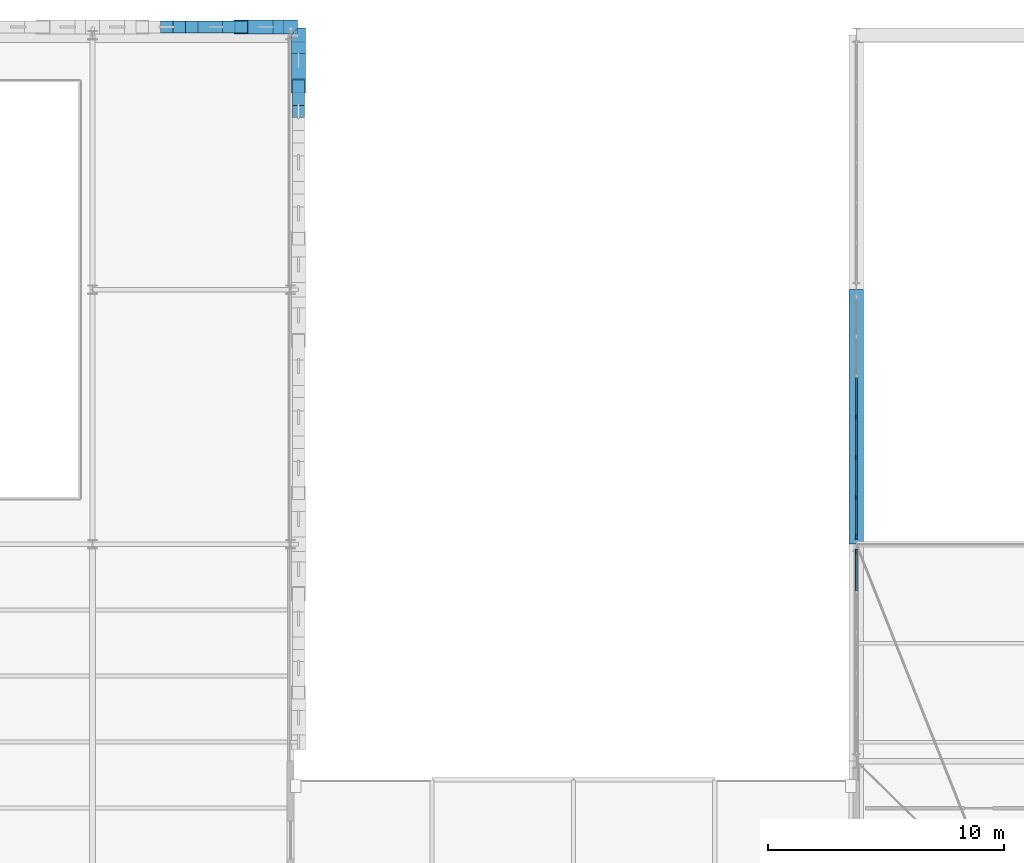
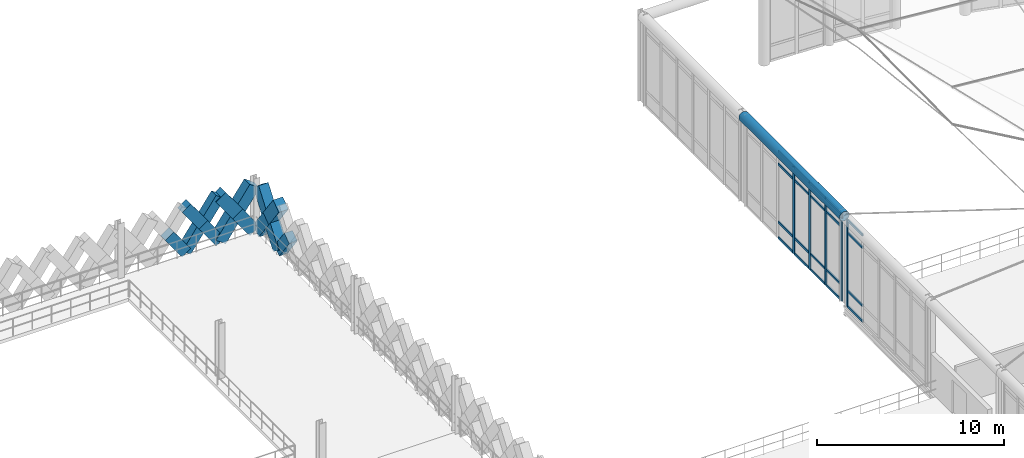
# One storey, part 43 of 101: 36 members, 1 beam, 2 elements without a shape of their own.
"""IFC4 building model written with IfcOpenShell, lengths in metres."""

from ifc_helpers import new_model, si_unit, direction, frame, origin, origin_2d, place, context, subcontext, project, spatial, rectangle, hollow_circle, extrude, material, layer, layer_set, material_profile, profile_set, type_object, element, aggregate, save


model = new_model("IFC4")

# Units and contexts
model_context = context("Model", 3, precision=1e-05, world=origin(), true_north=direction((0.0, 1.0)))
body_context = subcontext(model_context, "Body", "Model", "MODEL_VIEW")
ifc_project = project(units=[si_unit("LENGTHUNIT", "METRE"), si_unit("AREAUNIT", "SQUARE_METRE"), si_unit("VOLUMEUNIT", "CUBIC_METRE"), si_unit("PLANEANGLEUNIT", "RADIAN"), si_unit("MASSUNIT", "GRAM", prefix="KILO"), si_unit("THERMODYNAMICTEMPERATUREUNIT", "KELVIN"), si_unit("POWERUNIT", "WATT")], contexts=[model_context])

# Site, building, storey
site_placement = place(None, origin())
site = spatial("IfcSite", under=ifc_project, at=site_placement, CompositionType="ELEMENT")
building_placement = place(site_placement, origin())
building = spatial("IfcBuilding", under=site, at=building_placement, Name="Tembeka Court Mobility Hub", CompositionType="ELEMENT")
storey_placement = place(building_placement, frame((0.0, 0.0, 5.39990234375)))
storey = spatial("IfcBuildingStorey", under=building, at=storey_placement, Name="L01", CompositionType="ELEMENT", Elevation=5.39990234375)

# Beam
ifc_material_1 = material(Name="Steel S355", Category="steel")
ifc_material_profile_1 = material_profile(ifc_material_1, hollow_circle(Radius=0.304931640625, WallThickness=0.02001953125, at=origin_2d()), Name="CHS 610x20")
ifc_profile_set_1 = profile_set([ifc_material_profile_1], Name="Steel S355")
beam_type = type_object("IfcBeamType", Name="BM-RB01", PredefinedType="BEAM", material=ifc_profile_set_1)
beam_placement = place(storey_placement, frame((116.39990234375, 108.0, 5.695068359375), z_axis=(0.0, -1.0, 0.0), x_axis=(1.0, 0.0, 0.0)))
element("IfcBeam", 1, at=beam_placement, inside=storey, type_object=beam_type, Name="Concourse inner chord ring beam RB01-CH03", PredefinedType="BEAM", context=body_context, shape_type="SweptSolid", body=[
    extrude(hollow_circle(Radius=0.304931640625, WallThickness=0.02001953125, at=origin_2d()), origin(), (0.0, 0.0, 1.0), 10.800048828125),
])

# Curtain wall, member
ifc_material_2 = material(Name="Anodised aluminium 6063-T6", Category="aluminium")
ifc_layer_1 = layer(ifc_material_2, 0.199951171875)
ifc_layer_set_1 = layer_set([ifc_layer_1], Name="Anodised aluminium 6063-T6")
curtain_wall_type_1 = type_object("IfcCurtainWallType", Name="CW-SYS29", PredefinedType="USERDEFINED", material=ifc_layer_set_1)
curtain_wall_1_placement = place(storey_placement, origin())
curtain_wall_1 = element("IfcCurtainWall", 2, at=curtain_wall_1_placement, inside=storey, type_object=curtain_wall_type_1, Name="Unitised curtain wall CW29 (CW-L01-088)", ObjectType="UNITISED GLAZING", PredefinedType="USERDEFINED")
ifc_material_profile_2 = material_profile(ifc_material_2, rectangle(XDim=0.074951171875, YDim=0.199951171875, at=origin_2d()), Name="ALU-MUL 75x200")
ifc_profile_set_2 = profile_set([ifc_material_profile_2], Name="Anodised aluminium 6063-T6")
member_type_1 = type_object("IfcMemberType", Name="CW-MUL02", PredefinedType="MULLION", material=ifc_profile_set_2)
member_1_placement = place(storey_placement, frame((116.39990234375, 96.882568359375, 0.0), z_axis=(0.0, 0.0, 1.0), x_axis=(-1.0, 0.0, 0.0)))
member_1 = element("IfcMember", 3, at=member_1_placement, type_object=member_type_1, Name="CW29 mullion 6", PredefinedType="MULLION", context=body_context, shape_type="SweptSolid", body=[
    extrude(rectangle(XDim=0.074951171875, YDim=0.199951171875, at=origin_2d()), origin(), (0.0, 0.0, 1.0), 5.7001953125),
])

# Curtain wall, members
ifc_layer_2 = layer(ifc_material_2, 0.199951171875)
ifc_layer_set_2 = layer_set([ifc_layer_2], Name="Anodised aluminium 6063-T6")
curtain_wall_type_2 = type_object("IfcCurtainWallType", Name="CW-SYS30", PredefinedType="USERDEFINED", material=ifc_layer_set_2)
curtain_wall_2_placement = place(storey_placement, origin())
curtain_wall_2 = element("IfcCurtainWall", 4, at=curtain_wall_2_placement, inside=storey, type_object=curtain_wall_type_2, Name="Unitised curtain wall CW30 (CW-L01-090)", ObjectType="UNITISED GLAZING", PredefinedType="USERDEFINED")
member_2_placement = place(storey_placement, frame((116.39990234375, 97.517578125, 0.0), z_axis=(0.0, 0.0, 1.0), x_axis=(-1.0, 0.0, 0.0)))
member_2 = element("IfcMember", 5, at=member_2_placement, type_object=member_type_1, Name="CW30 mullion 1", PredefinedType="MULLION", context=body_context, shape_type="SweptSolid", body=[
    extrude(rectangle(XDim=0.074951171875, YDim=0.199951171875, at=origin_2d()), origin(), (0.0, 0.0, 1.0), 5.7001953125),
])
member_3_placement = place(storey_placement, frame((116.39990234375, 99.186767578125, 0.0), z_axis=(0.0, 0.0, 1.0), x_axis=(-1.0, 0.0, 0.0)))
member_3 = element("IfcMember", 6, at=member_3_placement, type_object=member_type_1, Name="CW30 mullion 2", PredefinedType="MULLION", context=body_context, shape_type="SweptSolid", body=[
    extrude(rectangle(XDim=0.074951171875, YDim=0.199951171875, at=origin_2d()), origin(), (0.0, 0.0, 1.0), 5.7001953125),
])
member_4_placement = place(storey_placement, frame((116.39990234375, 100.893310546875, 0.0), z_axis=(0.0, 0.0, 1.0), x_axis=(-1.0, 0.0, 0.0)))
member_4 = element("IfcMember", 7, at=member_4_placement, type_object=member_type_1, Name="CW30 mullion 3", PredefinedType="MULLION", context=body_context, shape_type="SweptSolid", body=[
    extrude(rectangle(XDim=0.074951171875, YDim=0.199951171875, at=origin_2d()), origin(), (0.0, 0.0, 1.0), 5.7001953125),
])
member_5_placement = place(storey_placement, frame((116.39990234375, 102.60009765625, 0.0), z_axis=(0.0, 0.0, 1.0), x_axis=(-1.0, 0.0, 0.0)))
member_5 = element("IfcMember", 8, at=member_5_placement, type_object=member_type_1, Name="CW30 mullion 4", PredefinedType="MULLION", context=body_context, shape_type="SweptSolid", body=[
    extrude(rectangle(XDim=0.074951171875, YDim=0.199951171875, at=origin_2d()), origin(), (0.0, 0.0, 1.0), 5.7001953125),
])

# Member
ifc_material_profile_3 = material_profile(ifc_material_2, rectangle(XDim=0.074951171875, YDim=0.14990234375, at=origin_2d()), Name="ALU-TRN 75x150")
ifc_profile_set_3 = profile_set([ifc_material_profile_3], Name="Anodised aluminium 6063-T6")
member_type_2 = type_object("IfcMemberType", Name="CW-TRN02", PredefinedType="USERDEFINED", material=ifc_profile_set_3)
member_6_placement = place(storey_placement, frame((116.39990234375, 95.2294921875, 0.03759765625), z_axis=(0.0, 1.0, 0.0), x_axis=(-1.0, 0.0, 0.0)))
member_6 = element("IfcMember", 9, at=member_6_placement, type_object=member_type_2, Name="CW29 transom 5.1", ObjectType="TRANSOM", PredefinedType="USERDEFINED", context=body_context, shape_type="SweptSolid", body=[
    extrude(rectangle(XDim=0.074951171875, YDim=0.14990234375, at=origin_2d()), origin(), (0.0, 0.0, 1.0), 1.615478515625),
])

member_7_placement = place(storey_placement, frame((116.39990234375, 95.2294921875, 1.050048828125), z_axis=(0.0, 1.0, 0.0), x_axis=(-1.0, 0.0, 0.0)))
member_7 = element("IfcMember", 10, at=member_7_placement, type_object=member_type_2, Name="CW29 transom 5.2", ObjectType="TRANSOM", PredefinedType="USERDEFINED", context=body_context, shape_type="SweptSolid", body=[
    extrude(rectangle(XDim=0.074951171875, YDim=0.14990234375, at=origin_2d()), origin(), (0.0, 0.0, 1.0), 1.615478515625),
])

member_8_placement = place(storey_placement, frame((116.39990234375, 95.2294921875, 4.85009765625), z_axis=(0.0, 1.0, 0.0), x_axis=(-1.0, 0.0, 0.0)))
member_8 = element("IfcMember", 11, at=member_8_placement, type_object=member_type_2, Name="CW29 transom 5.3", ObjectType="TRANSOM", PredefinedType="USERDEFINED", context=body_context, shape_type="SweptSolid", body=[
    extrude(rectangle(XDim=0.074951171875, YDim=0.14990234375, at=origin_2d()), origin(), (0.0, 0.0, 1.0), 1.615478515625),
])

member_9_placement = place(storey_placement, frame((116.39990234375, 95.2294921875, 5.66259765625), z_axis=(0.0, 1.0, 0.0), x_axis=(-1.0, 0.0, 0.0)))
member_9 = element("IfcMember", 12, at=member_9_placement, type_object=member_type_2, Name="CW29 transom 5.4", ObjectType="TRANSOM", PredefinedType="USERDEFINED", context=body_context, shape_type="SweptSolid", body=[
    extrude(rectangle(XDim=0.074951171875, YDim=0.14990234375, at=origin_2d()), origin(), (0.0, 0.0, 1.0), 1.615478515625),
])

aggregate(curtain_wall_1, [member_1, member_6, member_7, member_8, member_9])

member_10_placement = place(storey_placement, frame((116.39990234375, 97.554931640625, 0.03759765625), z_axis=(0.0, 1.0, 0.0), x_axis=(-1.0, 0.0, 0.0)))
member_10 = element("IfcMember", 13, at=member_10_placement, type_object=member_type_2, Name="CW30 transom 1.1", ObjectType="TRANSOM", PredefinedType="USERDEFINED", context=body_context, shape_type="SweptSolid", body=[
    extrude(rectangle(XDim=0.074951171875, YDim=0.14990234375, at=origin_2d()), origin(), (0.0, 0.0, 1.0), 1.59423828125),
])

member_11_placement = place(storey_placement, frame((116.39990234375, 97.554931640625, 1.050048828125), z_axis=(0.0, 1.0, 0.0), x_axis=(-1.0, 0.0, 0.0)))
member_11 = element("IfcMember", 14, at=member_11_placement, type_object=member_type_2, Name="CW30 transom 1.2", ObjectType="TRANSOM", PredefinedType="USERDEFINED", context=body_context, shape_type="SweptSolid", body=[
    extrude(rectangle(XDim=0.074951171875, YDim=0.14990234375, at=origin_2d()), origin(), (0.0, 0.0, 1.0), 1.59423828125),
])

member_12_placement = place(storey_placement, frame((116.39990234375, 97.554931640625, 4.85009765625), z_axis=(0.0, 1.0, 0.0), x_axis=(-1.0, 0.0, 0.0)))
member_12 = element("IfcMember", 15, at=member_12_placement, type_object=member_type_2, Name="CW30 transom 1.3", ObjectType="TRANSOM", PredefinedType="USERDEFINED", context=body_context, shape_type="SweptSolid", body=[
    extrude(rectangle(XDim=0.074951171875, YDim=0.14990234375, at=origin_2d()), origin(), (0.0, 0.0, 1.0), 1.59423828125),
])

member_13_placement = place(storey_placement, frame((116.39990234375, 97.554931640625, 5.66259765625), z_axis=(0.0, 1.0, 0.0), x_axis=(-1.0, 0.0, 0.0)))
member_13 = element("IfcMember", 16, at=member_13_placement, type_object=member_type_2, Name="CW30 transom 1.4", ObjectType="TRANSOM", PredefinedType="USERDEFINED", context=body_context, shape_type="SweptSolid", body=[
    extrude(rectangle(XDim=0.074951171875, YDim=0.14990234375, at=origin_2d()), origin(), (0.0, 0.0, 1.0), 1.59423828125),
])

member_14_placement = place(storey_placement, frame((116.39990234375, 99.22412109375, 0.03759765625), z_axis=(0.0, 1.0, 0.0), x_axis=(-1.0, 0.0, 0.0)))
member_14 = element("IfcMember", 17, at=member_14_placement, type_object=member_type_2, Name="CW30 transom 2.1", ObjectType="TRANSOM", PredefinedType="USERDEFINED", context=body_context, shape_type="SweptSolid", body=[
    extrude(rectangle(XDim=0.074951171875, YDim=0.14990234375, at=origin_2d()), origin(), (0.0, 0.0, 1.0), 1.631591796875),
])

member_15_placement = place(storey_placement, frame((116.39990234375, 99.22412109375, 1.050048828125), z_axis=(0.0, 1.0, 0.0), x_axis=(-1.0, 0.0, 0.0)))
member_15 = element("IfcMember", 18, at=member_15_placement, type_object=member_type_2, Name="CW30 transom 2.2", ObjectType="TRANSOM", PredefinedType="USERDEFINED", context=body_context, shape_type="SweptSolid", body=[
    extrude(rectangle(XDim=0.074951171875, YDim=0.14990234375, at=origin_2d()), origin(), (0.0, 0.0, 1.0), 1.631591796875),
])

member_16_placement = place(storey_placement, frame((116.39990234375, 99.22412109375, 4.85009765625), z_axis=(0.0, 1.0, 0.0), x_axis=(-1.0, 0.0, 0.0)))
member_16 = element("IfcMember", 19, at=member_16_placement, type_object=member_type_2, Name="CW30 transom 2.3", ObjectType="TRANSOM", PredefinedType="USERDEFINED", context=body_context, shape_type="SweptSolid", body=[
    extrude(rectangle(XDim=0.074951171875, YDim=0.14990234375, at=origin_2d()), origin(), (0.0, 0.0, 1.0), 1.631591796875),
])

member_17_placement = place(storey_placement, frame((116.39990234375, 99.22412109375, 5.66259765625), z_axis=(0.0, 1.0, 0.0), x_axis=(-1.0, 0.0, 0.0)))
member_17 = element("IfcMember", 20, at=member_17_placement, type_object=member_type_2, Name="CW30 transom 2.4", ObjectType="TRANSOM", PredefinedType="USERDEFINED", context=body_context, shape_type="SweptSolid", body=[
    extrude(rectangle(XDim=0.074951171875, YDim=0.14990234375, at=origin_2d()), origin(), (0.0, 0.0, 1.0), 1.631591796875),
])

member_18_placement = place(storey_placement, frame((116.39990234375, 100.930908203125, 0.03759765625), z_axis=(0.0, 1.0, 0.0), x_axis=(-1.0, 0.0, 0.0)))
member_18 = element("IfcMember", 21, at=member_18_placement, type_object=member_type_2, Name="CW30 transom 3.1", ObjectType="TRANSOM", PredefinedType="USERDEFINED", context=body_context, shape_type="SweptSolid", body=[
    extrude(rectangle(XDim=0.074951171875, YDim=0.14990234375, at=origin_2d()), origin(), (0.0, 0.0, 1.0), 1.631591796875),
])

member_19_placement = place(storey_placement, frame((116.39990234375, 100.930908203125, 1.050048828125), z_axis=(0.0, 1.0, 0.0), x_axis=(-1.0, 0.0, 0.0)))
member_19 = element("IfcMember", 22, at=member_19_placement, type_object=member_type_2, Name="CW30 transom 3.2", ObjectType="TRANSOM", PredefinedType="USERDEFINED", context=body_context, shape_type="SweptSolid", body=[
    extrude(rectangle(XDim=0.074951171875, YDim=0.14990234375, at=origin_2d()), origin(), (0.0, 0.0, 1.0), 1.631591796875),
])

member_20_placement = place(storey_placement, frame((116.39990234375, 100.930908203125, 4.85009765625), z_axis=(0.0, 1.0, 0.0), x_axis=(-1.0, 0.0, 0.0)))
member_20 = element("IfcMember", 23, at=member_20_placement, type_object=member_type_2, Name="CW30 transom 3.3", ObjectType="TRANSOM", PredefinedType="USERDEFINED", context=body_context, shape_type="SweptSolid", body=[
    extrude(rectangle(XDim=0.074951171875, YDim=0.14990234375, at=origin_2d()), origin(), (0.0, 0.0, 1.0), 1.631591796875),
])

member_21_placement = place(storey_placement, frame((116.39990234375, 100.930908203125, 5.66259765625), z_axis=(0.0, 1.0, 0.0), x_axis=(-1.0, 0.0, 0.0)))
member_21 = element("IfcMember", 24, at=member_21_placement, type_object=member_type_2, Name="CW30 transom 3.4", ObjectType="TRANSOM", PredefinedType="USERDEFINED", context=body_context, shape_type="SweptSolid", body=[
    extrude(rectangle(XDim=0.074951171875, YDim=0.14990234375, at=origin_2d()), origin(), (0.0, 0.0, 1.0), 1.631591796875),
])

member_22_placement = place(storey_placement, frame((116.39990234375, 102.637451171875, 0.03759765625), z_axis=(0.0, 1.0, 0.0), x_axis=(-1.0, 0.0, 0.0)))
member_22 = element("IfcMember", 25, at=member_22_placement, type_object=member_type_2, Name="CW30 transom 4.1", ObjectType="TRANSOM", PredefinedType="USERDEFINED", context=body_context, shape_type="SweptSolid", body=[
    extrude(rectangle(XDim=0.074951171875, YDim=0.14990234375, at=origin_2d()), origin(), (0.0, 0.0, 1.0), 1.6318359375),
])

member_23_placement = place(storey_placement, frame((116.39990234375, 102.637451171875, 1.050048828125), z_axis=(0.0, 1.0, 0.0), x_axis=(-1.0, 0.0, 0.0)))
member_23 = element("IfcMember", 26, at=member_23_placement, type_object=member_type_2, Name="CW30 transom 4.2", ObjectType="TRANSOM", PredefinedType="USERDEFINED", context=body_context, shape_type="SweptSolid", body=[
    extrude(rectangle(XDim=0.074951171875, YDim=0.14990234375, at=origin_2d()), origin(), (0.0, 0.0, 1.0), 1.6318359375),
])

member_24_placement = place(storey_placement, frame((116.39990234375, 102.637451171875, 4.85009765625), z_axis=(0.0, 1.0, 0.0), x_axis=(-1.0, 0.0, 0.0)))
member_24 = element("IfcMember", 27, at=member_24_placement, type_object=member_type_2, Name="CW30 transom 4.3", ObjectType="TRANSOM", PredefinedType="USERDEFINED", context=body_context, shape_type="SweptSolid", body=[
    extrude(rectangle(XDim=0.074951171875, YDim=0.14990234375, at=origin_2d()), origin(), (0.0, 0.0, 1.0), 1.6318359375),
])

member_25_placement = place(storey_placement, frame((116.39990234375, 102.637451171875, 5.66259765625), z_axis=(0.0, 1.0, 0.0), x_axis=(-1.0, 0.0, 0.0)))
member_25 = element("IfcMember", 28, at=member_25_placement, type_object=member_type_2, Name="CW30 transom 4.4", ObjectType="TRANSOM", PredefinedType="USERDEFINED", context=body_context, shape_type="SweptSolid", body=[
    extrude(rectangle(XDim=0.074951171875, YDim=0.14990234375, at=origin_2d()), origin(), (0.0, 0.0, 1.0), 1.6318359375),
])

aggregate(curtain_wall_2, [member_2, member_3, member_4, member_5, member_10, member_11, member_12, member_13, member_14, member_15, member_16, member_17, member_18, member_19, member_20, member_21, member_22, member_23, member_24, member_25])

# Members
ifc_material_3 = material(Name="Precast concrete C45/55", Category="concrete")
ifc_material_profile_4 = material_profile(ifc_material_3, rectangle(XDim=0.5, YDim=0.64990234375, at=origin_2d()), Name="PC-DIAG 500x650")
ifc_profile_set_4 = profile_set([ifc_material_profile_4], Name="Precast concrete C45/55")
member_type_3 = type_object("IfcMemberType", Name="MEM-DL01", PredefinedType="BRACE", material=ifc_profile_set_4)
member_26_placement = place(storey_placement, frame((88.199951171875, 119.139892578125, 0.02001953125), z_axis=(-0.582544294934, 0.0, 0.812798956963), x_axis=(0.0, -1.0, 0.0)))
element("IfcMember", 29, at=member_26_placement, inside=storey, type_object=member_type_3, Name="Precast diamond lattice split lower strand DL01 (L01-86B1)", PredefinedType="BRACE", context=body_context, shape_type="SweptSolid", body=[
    extrude(rectangle(XDim=0.5, YDim=0.64990234375, at=origin_2d()), origin(), (0.0, 0.0, 1.0), 1.802490234375),
])
member_27_placement = place(storey_placement, frame((88.199951171875, 119.139892578125, 0.02001953125), z_axis=(0.582544294934, 0.0, 0.812798956963), x_axis=(0.0, 1.0, 0.0)))
element("IfcMember", 30, at=member_27_placement, inside=storey, type_object=member_type_3, Name="Precast diamond lattice continuous strand DL01 (L01-87A)", PredefinedType="BRACE", context=body_context, shape_type="SweptSolid", body=[
    extrude(rectangle(XDim=0.5, YDim=0.64990234375, at=origin_2d()), origin(), (0.0, 0.0, 1.0), 3.60498046875),
])
for number, where, z_axis, x_axis, name in (
    (31, (90.300048828125, 119.139892578125, 0.02001953125), (-0.582544294934, 0.0, 0.812798956963), (0.0, -1.0, 0.0), "Precast diamond lattice split lower strand DL01 (L01-87B1)"),
    (32, (89.25, 119.139892578125, 1.485107421875), (-0.582544294934, 0.0, 0.812798956963), (0.0, -1.0, 0.0), "Precast diamond lattice split upper strand DL01 (L01-87B2)"),
):
    element("IfcMember", number, at=place(storey_placement, frame(where, z_axis=z_axis, x_axis=x_axis)), inside=storey, type_object=member_type_3, Name=name, PredefinedType="BRACE", context=body_context, shape_type="SweptSolid", body=[
        extrude(rectangle(XDim=0.5, YDim=0.64990234375, at=origin_2d()), origin(), (0.0, 0.0, 1.0), 1.802490234375),
    ])
member_28_placement = place(storey_placement, frame((92.739990234375, 116.639892578125, 0.02001953125), z_axis=(0.0, -0.593304274421, 0.804978284151), x_axis=(1.0, 0.0, 0.0)))
element("IfcMember", 33, at=member_28_placement, inside=storey, type_object=member_type_3, Name="Precast diamond lattice split lower strand DL01 (L01-187D1)", PredefinedType="BRACE", context=body_context, shape_type="SweptSolid", body=[
    extrude(rectangle(XDim=0.5, YDim=0.64990234375, at=origin_2d()), origin(), (0.0, 0.0, 1.0), 1.820068359375),
])
ifc_material_profile_5 = material_profile(ifc_material_3, rectangle(XDim=0.60009765625, YDim=0.75, at=origin_2d()), Name="PC-DIAG 600x750")
ifc_profile_set_5 = profile_set([ifc_material_profile_5], Name="Precast concrete C45/55")
member_type_4 = type_object("IfcMemberType", Name="MEM-DL02", PredefinedType="BRACE", material=ifc_profile_set_5)
member_29_placement = place(storey_placement, frame((90.300048828125, 119.139892578125, 0.02001953125), z_axis=(0.582499552306, 0.0, 0.812831022762), x_axis=(0.0, 1.0, 0.0)))
element("IfcMember", 34, at=member_29_placement, inside=storey, type_object=member_type_4, Name="Precast diamond lattice continuous strand DL02 (L01-88A)", PredefinedType="BRACE", context=body_context, shape_type="SweptSolid", body=[
    extrude(rectangle(XDim=0.60009765625, YDim=0.75, at=origin_2d()), origin(), (0.0, 0.0, 1.0), 3.60498046875),
])
for number, where, z_axis, x_axis, name in (
    (35, (92.39990234375, 119.139892578125, 0.02001953125), (-0.582454804382, 0.0, 0.812863088627), (0.0, -1.0, 0.0), "Precast diamond lattice split lower strand DL02 (L01-88B1)"),
    (36, (91.35009765625, 119.139892578125, 1.485107421875), (-0.582544294934, 0.0, 0.812798956963), (0.0, -1.0, 0.0), "Precast diamond lattice split upper strand DL02 (L01-88B2)"),
):
    element("IfcMember", number, at=place(storey_placement, frame(where, z_axis=z_axis, x_axis=x_axis)), inside=storey, type_object=member_type_4, Name=name, PredefinedType="BRACE", context=body_context, shape_type="SweptSolid", body=[
        extrude(rectangle(XDim=0.60009765625, YDim=0.75, at=origin_2d()), origin(), (0.0, 0.0, 1.0), 1.802490234375),
    ])
member_30_placement = place(storey_placement, frame((92.739990234375, 116.639892578125, 0.02001953125), z_axis=(0.0, 0.593391185876, 0.804914219358), x_axis=(-1.0, 0.0, 0.0)))
element("IfcMember", 37, at=member_30_placement, inside=storey, type_object=member_type_4, Name="Precast diamond lattice continuous strand DL02 (L01-188C)", PredefinedType="BRACE", context=body_context, shape_type="SweptSolid", body=[
    extrude(rectangle(XDim=0.60009765625, YDim=0.75, at=origin_2d()), origin(), (0.0, 0.0, 1.0), 3.640380859375),
])
for number, where, z_axis, x_axis, name in (
    (38, (92.739990234375, 118.800048828125, 0.02001953125), (0.0, -0.593391185876, 0.804914219358), (1.0, 0.0, 0.0), "Precast diamond lattice split lower strand DL02 (L01-188D1)"),
    (39, (92.739990234375, 117.719970703125, 1.485107421875), (0.0, -0.593391185876, 0.804914219358), (1.0, 0.0, 0.0), "Precast diamond lattice split upper strand DL02 (L01-188D2)"),
):
    element("IfcMember", number, at=place(storey_placement, frame(where, z_axis=z_axis, x_axis=x_axis)), inside=storey, type_object=member_type_4, Name=name, PredefinedType="BRACE", context=body_context, shape_type="SweptSolid", body=[
        extrude(rectangle(XDim=0.60009765625, YDim=0.75, at=origin_2d()), origin(), (0.0, 0.0, 1.0), 1.820068359375),
    ])

save(model, "model.ifc")
